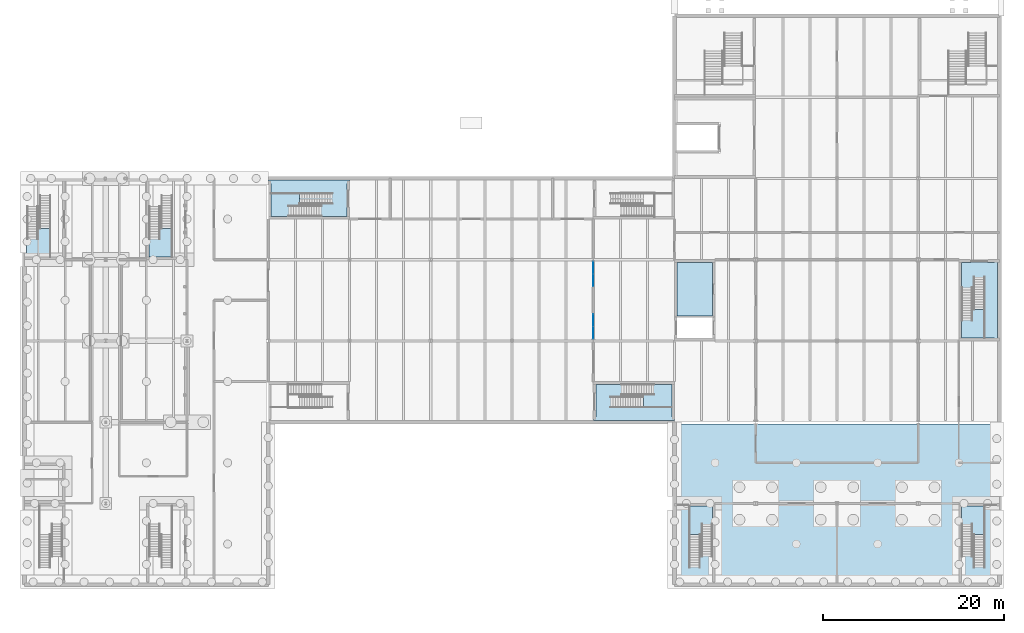
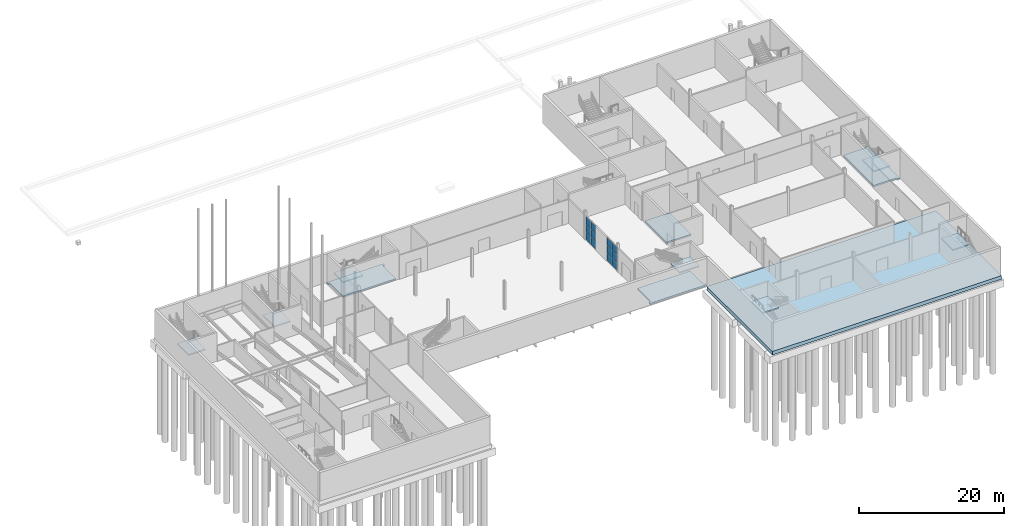
# One storey, part 14 of 31: 12 plates, 12 slabs, 9 elements without a shape of their own.
"""IFC4 building model written with IfcOpenShell, lengths in metres."""

from ifc_helpers import new_model, si_unit, direction, frame, origin, origin_2d, place, context, subcontext, project, spatial, polyline, rectangle, outline, extrude, material, layer, layer_set, type_object, element, aggregate, save


model = new_model("IFC4")

# Units and contexts
model_context = context("Model", 3, precision=1e-05, world=origin(), true_north=direction((0.0, 1.0)))
body_context = subcontext(model_context, "Body", "Model", "MODEL_VIEW")
ifc_project = project(units=[si_unit("LENGTHUNIT", "METRE"), si_unit("AREAUNIT", "SQUARE_METRE"), si_unit("VOLUMEUNIT", "CUBIC_METRE"), si_unit("PLANEANGLEUNIT", "RADIAN"), si_unit("MASSUNIT", "GRAM", prefix="KILO")], contexts=[model_context])

# Site, building, storey
site_placement = place(None, origin())
site = spatial("IfcSite", under=ifc_project, at=site_placement, CompositionType="ELEMENT")
building_placement = place(site_placement, origin())
building = spatial("IfcBuilding", under=site, at=building_placement, Name="Halyard Row Museum", CompositionType="ELEMENT")
storey_placement = place(building_placement, frame((0.0, 0.0, -4.800048828125)))
storey = spatial("IfcBuildingStorey", under=building, at=storey_placement, Name="B1", CompositionType="ELEMENT", Elevation=-4.800048828125)

# Slabs
ifc_material_1 = material(Name="Concrete 40 MPa", Category="concrete")
ifc_layer_1 = layer(ifc_material_1, 0.25)
ifc_layer_set_1 = layer_set([ifc_layer_1], Name="Concrete 40 MPa")
slab_type_1 = type_object("IfcSlabType", Name="Core floor slab 250", PredefinedType="FLOOR", material=ifc_layer_set_1)
slab_1_placement = place(storey_placement, frame((0.0, 0.0, -0.25)))
element("IfcSlab", 1, at=slab_1_placement, inside=storey, type_object=slab_type_1, Name="Core floor K1A B1", PredefinedType="FLOOR", context=body_context, shape_type="SweptSolid", body=[
    extrude(outline(polyline([(27.300048828125, 40.800048828125), (35.699951171875, 40.800048828125), (35.699951171875, 44.449951171875), (35.9951171875, 44.449951171875), (35.9951171875, 44.800048828125), (27.0048828125, 44.800048828125), (27.0048828125, 44.449951171875), (27.300048828125, 44.449951171875), (27.300048828125, 40.800048828125)])), origin(), (0.0, 0.0, 1.0), 0.25),
])
slab_2_placement = place(storey_placement, frame((0.0, 0.0, -0.25)))
element("IfcSlab", 2, at=slab_2_placement, inside=storey, type_object=slab_type_1, Name="Core floor K1C B1", PredefinedType="FLOOR", context=body_context, shape_type="SweptSolid", body=[
    extrude(outline(polyline([(63.300048828125, 22.199951171875), (63.300048828125, 18.550048828125), (63.0048828125, 18.550048828125), (63.0048828125, 18.199951171875), (71.9951171875, 18.199951171875), (71.9951171875, 18.550048828125), (71.699951171875, 18.550048828125), (71.699951171875, 22.199951171875), (63.300048828125, 22.199951171875)])), origin(), (0.0, 0.0, 1.0), 0.25),
])
slab_3_placement = place(storey_placement, frame((0.0, 0.0, -0.25)))
element("IfcSlab", 3, at=slab_3_placement, inside=storey, type_object=slab_type_1, Name="Core floor K2C B1", PredefinedType="FLOOR", context=body_context, shape_type="SweptSolid", body=[
    extrude(outline(polyline([(103.800048828125, 35.699951171875), (103.800048828125, 27.300048828125), (107.449951171875, 27.300048828125), (107.449951171875, 27.0048828125), (107.800048828125, 27.0048828125), (107.800048828125, 35.9951171875), (107.449951171875, 35.9951171875), (107.449951171875, 35.699951171875), (103.800048828125, 35.699951171875)])), origin(), (0.0, 0.0, 1.0), 0.25),
])
slab_4_placement = place(storey_placement, frame((0.0, 0.0, -0.25)))
element("IfcSlab", 4, at=slab_4_placement, inside=storey, type_object=slab_type_1, Name="Core floor K7 B1", PredefinedType="FLOOR", context=body_context, shape_type="SweptSolid", body=[
    extrude(outline(polyline([(76.199951171875, 35.699951171875), (72.300048828125, 35.699951171875), (72.300048828125, 29.75), (76.199951171875, 29.75), (76.199951171875, 35.699951171875)])), origin(), (0.0, 0.0, 1.0), 0.25),
])

# Curtain wall, plates
ifc_material_2 = material(Name="Fire-resisting laminated glazing", Category="glass")
ifc_layer_2 = layer(ifc_material_2, 0.159912109375)
ifc_layer_set_2 = layer_set([ifc_layer_2], Name="Fire-resisting laminated glazing")
curtain_wall_type = type_object("IfcCurtainWallType", Name="Curtain wall atrium screen 160 deep", PredefinedType="NOTDEFINED", material=ifc_layer_set_2)
curtain_wall_1_placement = place(storey_placement, origin())
curtain_wall_1 = element("IfcCurtainWall", 5, at=curtain_wall_1_placement, inside=storey, type_object=curtain_wall_type, Name="Curtain wall CW118", PredefinedType="NOTDEFINED")
ifc_material_3 = material(Name="Fire-resisting laminated glazing", Category="glass")
ifc_layer_3 = layer(ifc_material_3, 0.0400390625)
ifc_layer_set_3 = layer_set([ifc_layer_3], Name="Fire-resisting laminated glazing")
plate_type = type_object("IfcPlateType", Name="Curtain wall glazed panel CP5 40", PredefinedType="CURTAIN_PANEL", material=ifc_layer_set_3)
plate_1_placement = place(storey_placement, frame((63.0, 27.89208984375, 0.06005859375), z_axis=(0.0, 0.0, 1.0), x_axis=(0.0, 1.0, 0.0)))
plate_1 = element("IfcPlate", 6, at=plate_1_placement, type_object=plate_type, Name="CW118 panel 1.1", PredefinedType="CURTAIN_PANEL", context=body_context, shape_type="SweptSolid", body=[
    extrude(rectangle(XDim=1.3251953125, YDim=0.0400390625, at=origin_2d()), origin(), (0.0, 0.0, 1.0), 1.251220703125),
])
plate_2_placement = place(storey_placement, frame((63.0, 27.89208984375, 1.37109375), z_axis=(0.0, 0.0, 1.0), x_axis=(0.0, 1.0, 0.0)))
plate_2 = element("IfcPlate", 7, at=plate_2_placement, type_object=plate_type, Name="CW118 panel 1.2", PredefinedType="CURTAIN_PANEL", context=body_context, shape_type="SweptSolid", body=[
    extrude(rectangle(XDim=1.3251953125, YDim=0.0400390625, at=origin_2d()), origin(), (0.0, 0.0, 1.0), 1.28125),
])
plate_3_placement = place(storey_placement, frame((63.0, 27.89208984375, 2.71240234375), z_axis=(0.0, 0.0, 1.0), x_axis=(0.0, 1.0, 0.0)))
plate_3 = element("IfcPlate", 8, at=plate_3_placement, type_object=plate_type, Name="CW118 panel 1.3", PredefinedType="CURTAIN_PANEL", context=body_context, shape_type="SweptSolid", body=[
    extrude(rectangle(XDim=1.3251953125, YDim=0.0400390625, at=origin_2d()), origin(), (0.0, 0.0, 1.0), 1.251220703125),
])
plate_4_placement = place(storey_placement, frame((63.0, 29.27734375, 0.06005859375), z_axis=(0.0, 0.0, 1.0), x_axis=(0.0, 1.0, 0.0)))
plate_4 = element("IfcPlate", 9, at=plate_4_placement, type_object=plate_type, Name="CW118 panel 2.1", PredefinedType="CURTAIN_PANEL", context=body_context, shape_type="SweptSolid", body=[
    extrude(rectangle(XDim=1.3251953125, YDim=0.0400390625, at=origin_2d()), origin(), (0.0, 0.0, 1.0), 1.251220703125),
])
plate_5_placement = place(storey_placement, frame((63.0, 29.27734375, 1.37109375), z_axis=(0.0, 0.0, 1.0), x_axis=(0.0, 1.0, 0.0)))
plate_5 = element("IfcPlate", 10, at=plate_5_placement, type_object=plate_type, Name="CW118 panel 2.2", PredefinedType="CURTAIN_PANEL", context=body_context, shape_type="SweptSolid", body=[
    extrude(rectangle(XDim=1.3251953125, YDim=0.0400390625, at=origin_2d()), origin(), (0.0, 0.0, 1.0), 1.28125),
])
plate_6_placement = place(storey_placement, frame((63.0, 29.27734375, 2.71240234375), z_axis=(0.0, 0.0, 1.0), x_axis=(0.0, 1.0, 0.0)))
plate_6 = element("IfcPlate", 11, at=plate_6_placement, type_object=plate_type, Name="CW118 panel 2.3", PredefinedType="CURTAIN_PANEL", context=body_context, shape_type="SweptSolid", body=[
    extrude(rectangle(XDim=1.3251953125, YDim=0.0400390625, at=origin_2d()), origin(), (0.0, 0.0, 1.0), 1.251220703125),
])
aggregate(curtain_wall_1, [plate_1, plate_2, plate_3, plate_4, plate_5, plate_6])

curtain_wall_2_placement = place(storey_placement, origin())
curtain_wall_2 = element("IfcCurtainWall", 12, at=curtain_wall_2_placement, inside=storey, type_object=curtain_wall_type, Name="Curtain wall CW119", PredefinedType="NOTDEFINED")
plate_7_placement = place(storey_placement, frame((63.0, 33.72265625, 0.06005859375), z_axis=(0.0, 0.0, 1.0), x_axis=(0.0, 1.0, 0.0)))
plate_7 = element("IfcPlate", 13, at=plate_7_placement, type_object=plate_type, Name="CW119 panel 1.1", PredefinedType="CURTAIN_PANEL", context=body_context, shape_type="SweptSolid", body=[
    extrude(rectangle(XDim=1.3251953125, YDim=0.0400390625, at=origin_2d()), origin(), (0.0, 0.0, 1.0), 1.251220703125),
])
plate_8_placement = place(storey_placement, frame((63.0, 33.72265625, 1.37109375), z_axis=(0.0, 0.0, 1.0), x_axis=(0.0, 1.0, 0.0)))
plate_8 = element("IfcPlate", 14, at=plate_8_placement, type_object=plate_type, Name="CW119 panel 1.2", PredefinedType="CURTAIN_PANEL", context=body_context, shape_type="SweptSolid", body=[
    extrude(rectangle(XDim=1.3251953125, YDim=0.0400390625, at=origin_2d()), origin(), (0.0, 0.0, 1.0), 1.28125),
])
plate_9_placement = place(storey_placement, frame((63.0, 33.72265625, 2.71240234375), z_axis=(0.0, 0.0, 1.0), x_axis=(0.0, 1.0, 0.0)))
plate_9 = element("IfcPlate", 15, at=plate_9_placement, type_object=plate_type, Name="CW119 panel 1.3", PredefinedType="CURTAIN_PANEL", context=body_context, shape_type="SweptSolid", body=[
    extrude(rectangle(XDim=1.3251953125, YDim=0.0400390625, at=origin_2d()), origin(), (0.0, 0.0, 1.0), 1.251220703125),
])
plate_10_placement = place(storey_placement, frame((63.0, 35.10791015625, 0.06005859375), z_axis=(0.0, 0.0, 1.0), x_axis=(0.0, 1.0, 0.0)))
plate_10 = element("IfcPlate", 16, at=plate_10_placement, type_object=plate_type, Name="CW119 panel 2.1", PredefinedType="CURTAIN_PANEL", context=body_context, shape_type="SweptSolid", body=[
    extrude(rectangle(XDim=1.3251953125, YDim=0.0400390625, at=origin_2d()), origin(), (0.0, 0.0, 1.0), 1.251220703125),
])
plate_11_placement = place(storey_placement, frame((63.0, 35.10791015625, 1.37109375), z_axis=(0.0, 0.0, 1.0), x_axis=(0.0, 1.0, 0.0)))
plate_11 = element("IfcPlate", 17, at=plate_11_placement, type_object=plate_type, Name="CW119 panel 2.2", PredefinedType="CURTAIN_PANEL", context=body_context, shape_type="SweptSolid", body=[
    extrude(rectangle(XDim=1.3251953125, YDim=0.0400390625, at=origin_2d()), origin(), (0.0, 0.0, 1.0), 1.28125),
])
plate_12_placement = place(storey_placement, frame((63.0, 35.10791015625, 2.71240234375), z_axis=(0.0, 0.0, 1.0), x_axis=(0.0, 1.0, 0.0)))
plate_12 = element("IfcPlate", 18, at=plate_12_placement, type_object=plate_type, Name="CW119 panel 2.3", PredefinedType="CURTAIN_PANEL", context=body_context, shape_type="SweptSolid", body=[
    extrude(rectangle(XDim=1.3251953125, YDim=0.0400390625, at=origin_2d()), origin(), (0.0, 0.0, 1.0), 1.251220703125),
])
aggregate(curtain_wall_2, [plate_7, plate_8, plate_9, plate_10, plate_11, plate_12])

# Stair, slab
ifc_material_4 = material(Name="Concrete 40 MPa", Category="concrete")
stair_type = type_object("IfcStairType", Name="Exit stair two flights 1200", PredefinedType="HALF_TURN_STAIR", material=ifc_material_4)
stair_1_placement = place(storey_placement, origin())
stair_1 = element("IfcStair", 19, at=stair_1_placement, inside=storey, type_object=stair_type, Name="Exit stair K1A B1", PredefinedType="HALF_TURN_STAIR")
ifc_material_5 = material(Name="Concrete 40 MPa", Category="concrete")
ifc_layer_4 = layer(ifc_material_5, 0.199951171875)
ifc_layer_set_4 = layer_set([ifc_layer_4], Name="Concrete 40 MPa")
slab_type_2 = type_object("IfcSlabType", Name="Exit stair landing 200", PredefinedType="LANDING", material=ifc_layer_set_4)
slab_5_placement = place(storey_placement, frame((0.0, 0.0, 2.199951171875)))
slab_5 = element("IfcSlab", 20, at=slab_5_placement, type_object=slab_type_2, Name="STK1A-B1 landing 1", PredefinedType="LANDING", context=body_context, shape_type="SweptSolid", body=[
    extrude(outline(polyline([(30.4599609375, 43.35009765625), (30.4599609375, 40.800048828125), (27.300048828125, 40.800048828125), (27.300048828125, 43.35009765625), (30.4599609375, 43.35009765625)])), origin(), (0.0, 0.0, 1.0), 0.2001953125),
])
aggregate(stair_1, [slab_5])

stair_2_placement = place(storey_placement, origin())
stair_2 = element("IfcStair", 21, at=stair_2_placement, inside=storey, type_object=stair_type, Name="Exit stair K1C B1", PredefinedType="HALF_TURN_STAIR")
slab_6_placement = place(storey_placement, frame((0.0, 0.0, 2.199951171875)))
slab_6 = element("IfcSlab", 22, at=slab_6_placement, type_object=slab_type_2, Name="STK1C-B1 landing 1", PredefinedType="LANDING", context=body_context, shape_type="SweptSolid", body=[
    extrude(outline(polyline([(68.5400390625, 19.64990234375), (68.5400390625, 22.199951171875), (71.699951171875, 22.199951171875), (71.699951171875, 19.64990234375), (68.5400390625, 19.64990234375)])), origin(), (0.0, 0.0, 1.0), 0.2001953125),
])
aggregate(stair_2, [slab_6])

stair_3_placement = place(storey_placement, origin())
stair_3 = element("IfcStair", 23, at=stair_3_placement, inside=storey, type_object=stair_type, Name="Exit stair K2A B1", PredefinedType="HALF_TURN_STAIR")
slab_7_placement = place(storey_placement, frame((0.0, 0.0, 2.199951171875)))
slab_7 = element("IfcSlab", 24, at=slab_7_placement, type_object=slab_type_2, Name="STK2A-B1 landing 1", PredefinedType="LANDING", context=body_context, shape_type="SweptSolid", body=[
    extrude(outline(polyline([(73.64990234375, 5.5400390625), (76.199951171875, 5.5400390625), (76.199951171875, 8.699951171875), (73.64990234375, 8.699951171875), (73.64990234375, 5.5400390625)])), origin(), (0.0, 0.0, 1.0), 0.2001953125),
])
aggregate(stair_3, [slab_7])

stair_4_placement = place(storey_placement, origin())
stair_4 = element("IfcStair", 25, at=stair_4_placement, inside=storey, type_object=stair_type, Name="Exit stair K2B B1", PredefinedType="HALF_TURN_STAIR")
slab_8_placement = place(storey_placement, frame((0.0, 0.0, 2.199951171875)))
slab_8 = element("IfcSlab", 26, at=slab_8_placement, type_object=slab_type_2, Name="STK2B-B1 landing 1", PredefinedType="LANDING", context=body_context, shape_type="SweptSolid", body=[
    extrude(outline(polyline([(106.35009765625, 5.5400390625), (103.800048828125, 5.5400390625), (103.800048828125, 8.699951171875), (106.35009765625, 8.699951171875), (106.35009765625, 5.5400390625)])), origin(), (0.0, 0.0, 1.0), 0.2001953125),
])
aggregate(stair_4, [slab_8])

stair_5_placement = place(storey_placement, origin())
stair_5 = element("IfcStair", 27, at=stair_5_placement, inside=storey, type_object=stair_type, Name="Exit stair K2C B1", PredefinedType="HALF_TURN_STAIR")
slab_9_placement = place(storey_placement, frame((0.0, 0.0, 2.199951171875)))
slab_9 = element("IfcSlab", 28, at=slab_9_placement, type_object=slab_type_2, Name="STK2C-B1 landing 1", PredefinedType="LANDING", context=body_context, shape_type="SweptSolid", body=[
    extrude(outline(polyline([(106.35009765625, 30.4599609375), (103.800048828125, 30.4599609375), (103.800048828125, 27.300048828125), (106.35009765625, 27.300048828125), (106.35009765625, 30.4599609375)])), origin(), (0.0, 0.0, 1.0), 0.2001953125),
])
aggregate(stair_5, [slab_9])

stair_6_placement = place(storey_placement, origin())
stair_6 = element("IfcStair", 29, at=stair_6_placement, inside=storey, type_object=stair_type, Name="Exit stair K3N B1", PredefinedType="HALF_TURN_STAIR")
slab_10_placement = place(storey_placement, frame((0.0, 0.0, 2.199951171875)))
slab_10 = element("IfcSlab", 30, at=slab_10_placement, type_object=slab_type_2, Name="STK3N-B1 landing 1", PredefinedType="LANDING", context=body_context, shape_type="SweptSolid", body=[
    extrude(outline(polyline([(16.35009765625, 39.4599609375), (13.800048828125, 39.4599609375), (13.800048828125, 36.300048828125), (16.35009765625, 36.300048828125), (16.35009765625, 39.4599609375)])), origin(), (0.0, 0.0, 1.0), 0.2001953125),
])
aggregate(stair_6, [slab_10])

stair_7_placement = place(storey_placement, origin())
stair_7 = element("IfcStair", 31, at=stair_7_placement, inside=storey, type_object=stair_type, Name="Exit stair K3W B1", PredefinedType="HALF_TURN_STAIR")
slab_11_placement = place(storey_placement, frame((0.0, 0.0, 2.199951171875)))
slab_11 = element("IfcSlab", 32, at=slab_11_placement, type_object=slab_type_2, Name="STK3W-B1 landing 1", PredefinedType="LANDING", context=body_context, shape_type="SweptSolid", body=[
    extrude(outline(polyline([(0.199951171875, 36.300048828125), (0.199951171875, 39.4599609375), (2.85009765625, 39.4599609375), (2.85009765625, 36.300048828125), (0.199951171875, 36.300048828125)])), origin(), (0.0, 0.0, 1.0), 0.2001953125),
])
aggregate(stair_7, [slab_11])

# Slab
ifc_material_6 = material(Name="Concrete 40 MPa", Category="concrete")
ifc_layer_5 = layer(ifc_material_6, 0.60009765625)
ifc_layer_set_5 = layer_set([ifc_layer_5], Name="Concrete 40 MPa")
slab_type_3 = type_object("IfcSlabType", Name="Raft slab", PredefinedType="BASESLAB", material=ifc_layer_set_5)
slab_12_placement = place(storey_placement, frame((0.0, 0.0, -0.599853515625)))
element("IfcSlab", 33, at=slab_12_placement, inside=storey, type_object=slab_type_3, Name="Raft slab B1-02", PredefinedType="BASESLAB", context=body_context, shape_type="SweptSolid", body=[
    extrude(outline(polyline([(108.199951171875, -0.199951171875), (108.199951171875, 17.800048828125), (71.800048828125, 17.800048828125), (71.800048828125, -0.199951171875), (108.199951171875, -0.199951171875)])), origin(), (0.0, 0.0, 1.0), 0.599853515625),
])

save(model, "model.ifc")
